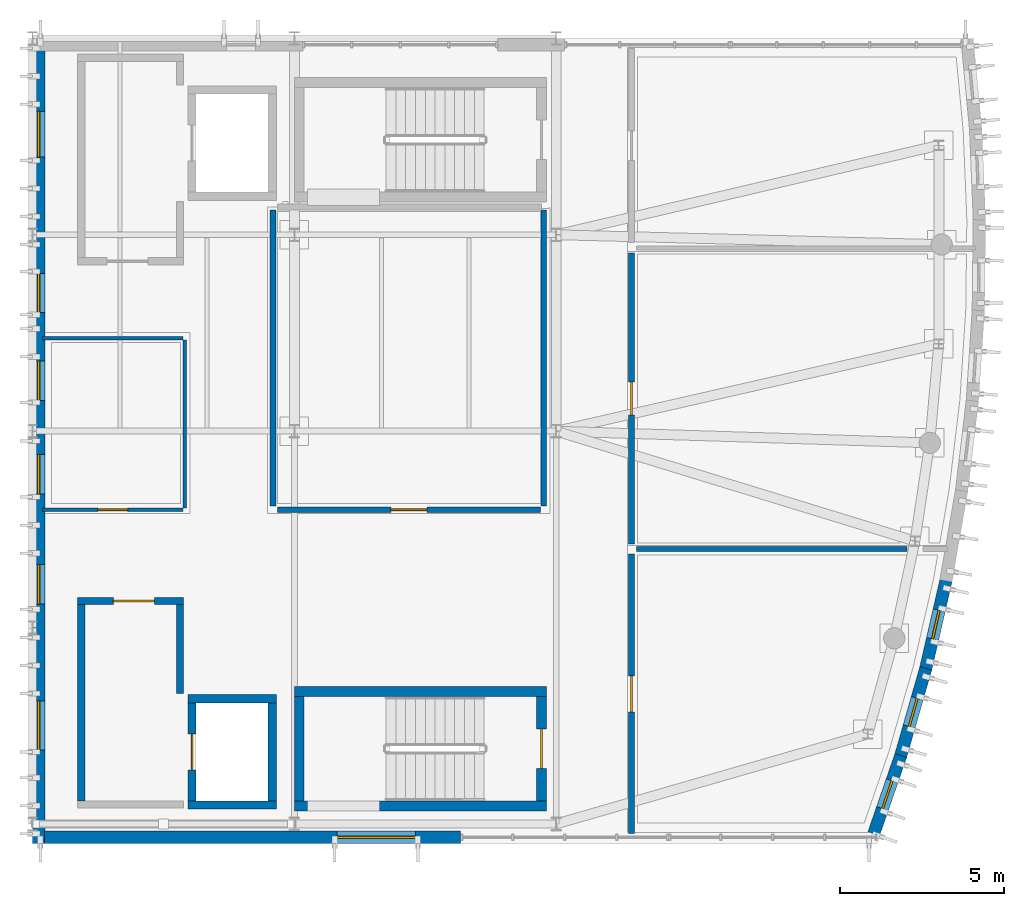
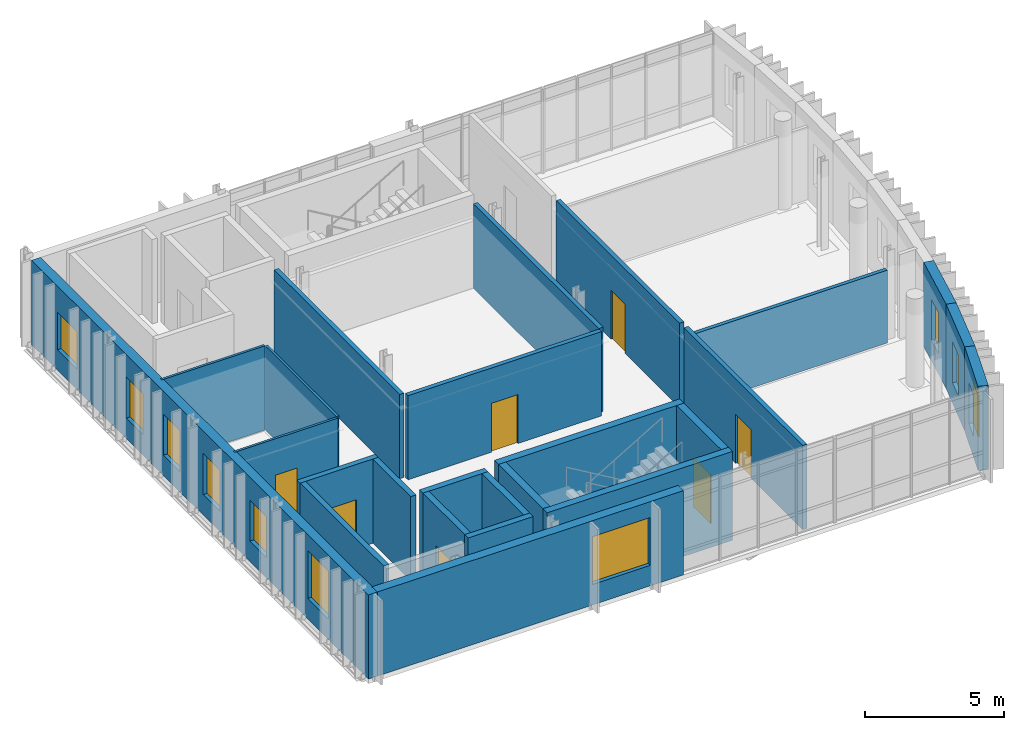
# One storey, part 6 of 10: 25 walls, 10 windows, 7 doors, 17 openings.
"""IFC4 building model written with IfcOpenShell, lengths in metres."""

import ifcopenshell
import ifcopenshell.guid

model = None  # the IFC model being written
_history = None  # IfcOwnerHistory: only IFC2X3 demands one
_inside = {}  # id of a spatial element -> (the spatial element, [elements in it])
_under = {}  # id of a project, library or spatial element -> (it, [spatial elements below it])
_declared = {}  # id of a project -> (the project, [libraries it declares])
_typed = {}  # id of a type object -> (the type object, [elements of that type])
_made_of = {}  # id of a material, layer set ... -> (it, [elements and type objects made of it])


def new_model(schema):
    """Start an empty IFC model of exactly this schema.

    Asked for "IFC4X3", IfcOpenShell would pick the latest addendum, in which some entities
    have other attributes; the version numbers below select the first issue.
    IFC2X3 requires an IfcOwnerHistory on every rooted entity: one is made here for all.
    """
    global model, _history
    if schema == "IFC4X3":
        model = ifcopenshell.file(schema_version=(4, 3, 0, 0))
    else:
        model = ifcopenshell.file(schema=schema)
    _inside.clear()
    _under.clear()
    _declared.clear()
    _typed.clear()
    _made_of.clear()
    _history = None
    if model.schema == "IFC2X3":
        org = make("IfcOrganization", Name="unknown")
        user = make(
            "IfcPersonAndOrganization",
            ThePerson=make("IfcPerson", FamilyName="unknown"),
            TheOrganization=org,
        )
        app = make(
            "IfcApplication",
            ApplicationDeveloper=org,
            Version="unknown",
            ApplicationFullName="unknown",
            ApplicationIdentifier="unknown",
        )
        _history = make(
            "IfcOwnerHistory",
            OwningUser=user,
            OwningApplication=app,
            ChangeAction="ADDED",
            CreationDate=0,
        )
    return model


def make(cls, **values):
    """One entity of the class cls with the attributes given. An attribute that is None is left unset."""
    return model.create_entity(
        cls, **{name: value for name, value in values.items() if value is not None}
    )


def rooted(cls, **values):
    """An entity with a GlobalId (a new one), such as an element, a storey or a relation."""
    return make(cls, GlobalId=ifcopenshell.guid.new(), OwnerHistory=_history, **values)


def si_unit(unit_type, name, prefix=None):
    """IfcSIUnit, for example si_unit("LENGTHUNIT", "METRE", prefix="MILLI")."""
    return make("IfcSIUnit", UnitType=unit_type, Prefix=prefix, Name=name)


def assignment(units):
    """IfcUnitAssignment: the units of a project."""
    return None if units is None else make("IfcUnitAssignment", Units=units)


def point(xyz):
    """IfcCartesianPoint."""
    return None if xyz is None else make("IfcCartesianPoint", Coordinates=xyz)


def direction(xyz):
    """IfcDirection."""
    return None if xyz is None else make("IfcDirection", DirectionRatios=xyz)


def frame(location, z_axis=None, x_axis=None):
    """IfcAxis2Placement3D, a coordinate frame: its origin and axes. An axis left out is left unset."""
    return make(
        "IfcAxis2Placement3D",
        Location=point(location),
        Axis=direction(z_axis),
        RefDirection=direction(x_axis),
    )


def frame_2d(location, x_axis=None):
    """IfcAxis2Placement2D, a coordinate frame in the plane: its origin and x axis."""
    return make(
        "IfcAxis2Placement2D", Location=point(location), RefDirection=direction(x_axis)
    )


def origin():
    """The frame at (0, 0, 0) with its axes left unset."""
    return frame((0.0, 0.0, 0.0))


def place(relative_to, where):
    """IfcLocalPlacement: puts the frame where relative to a parent placement (None: the world)."""
    return make(
        "IfcLocalPlacement", PlacementRelTo=relative_to, RelativePlacement=where
    )


def context(
    kind, dimensions, precision=None, world=None, true_north=None, identifier=None
):
    """IfcGeometricRepresentationContext, for example the 3D "Model" context."""
    return make(
        "IfcGeometricRepresentationContext",
        ContextIdentifier=identifier,
        ContextType=kind,
        CoordinateSpaceDimension=dimensions,
        Precision=precision,
        WorldCoordinateSystem=world,
        TrueNorth=true_north,
    )


def subcontext(parent, identifier, kind, view, scale=None):
    """IfcGeometricRepresentationSubContext, for example "Body" below "Model"."""
    return make(
        "IfcGeometricRepresentationSubContext",
        ContextIdentifier=identifier,
        ContextType=kind,
        ParentContext=parent,
        TargetScale=scale,
        TargetView=view,
    )


def project(units=None, contexts=None):
    """IfcProject with its units and contexts."""
    return rooted(
        "IfcProject",
        Name="project",
        RepresentationContexts=contexts,
        UnitsInContext=assignment(units),
    )


def spatial(cls, under=None, at=None, **own):
    """A site, building, storey or space (cls), placed at a placement, below another one or the project."""
    s = rooted(cls, ObjectPlacement=at, **own)
    if under is not None:
        _under.setdefault(under.id(), (under, []))[1].append(s)
    return s


def profile(cls, at=None, kind="AREA", **sizes):
    """A parametric profile (cls). Its sizes go by their IFC names, for example OverallWidth=200.0."""
    return make(cls, ProfileType=kind, Position=at, **sizes)


def rectangle(**sizes):
    """IfcRectangleProfileDef."""
    return profile("IfcRectangleProfileDef", **sizes)


def extrude(swept, where, along, depth):
    """IfcExtrudedAreaSolid: the profile swept, set in the frame where, extruded along a direction by depth."""
    return make(
        "IfcExtrudedAreaSolid",
        SweptArea=swept,
        Position=where,
        ExtrudedDirection=direction(along),
        Depth=depth,
    )


def shape(context_of_items, identifier, shape_type, items):
    """IfcShapeRepresentation: the items that make up one representation, for example the "Body"."""
    return make(
        "IfcShapeRepresentation",
        ContextOfItems=context_of_items,
        RepresentationIdentifier=identifier,
        RepresentationType=shape_type,
        Items=items,
    )


def material(Name=None, Category=None):
    """IfcMaterial."""
    return make("IfcMaterial", Name=Name, Category=Category)


def layer(
    of_material, thickness, ventilated=None, Name=None, Category=None, Priority=None
):
    """IfcMaterialLayer: one layer of a wall or slab, of a material (None: an air gap)."""
    return make(
        "IfcMaterialLayer",
        Material=of_material,
        LayerThickness=thickness,
        IsVentilated=ventilated,
        Name=Name,
        Category=Category,
        Priority=Priority,
    )


def layer_set(layers, Name=None):
    """IfcMaterialLayerSet."""
    return make("IfcMaterialLayerSet", MaterialLayers=layers, LayerSetName=Name)


def made_of(thing, what):
    """Note that an element or type object is made of a material, layer set ...; save() writes the relation."""
    if what is not None:
        _made_of.setdefault(what.id(), (what, []))[1].append(thing)
    return thing


def type_object(cls, material=None, **own):
    """A type object (cls), such as IfcWallType, which elements share."""
    return made_of(rooted(cls, **own), material)


def element(
    cls,
    number,
    at=None,
    inside=None,
    cuts=None,
    type_object=None,
    material=None,
    context=None,
    identifier="Body",
    shape_type=None,
    held_by="IfcProductDefinitionShape",
    body=None,
    shapes=None,
    **own,
):
    """One element of the class cls, such as IfcWall. Its Tag is "e" and its number.

    at: its placement. inside: the storey or other place that contains it. cuts: it is an
    opening in that element (IfcRelVoidsElement). A single representation is given by context,
    identifier, shape_type and body (its items); several are given by shapes. held_by: the class
    of the entity that holds the representations. save() writes the other relations.
    """
    e = rooted(cls, Tag="e%d" % number, ObjectPlacement=at, **own)
    if body is not None:
        shapes = [shape(context, identifier, shape_type, body)]
    if shapes is not None:
        e.Representation = make(held_by, Representations=shapes)
    if inside is not None:
        _inside.setdefault(inside.id(), (inside, []))[1].append(e)
    if cuts is not None:
        rooted(
            "IfcRelVoidsElement", RelatingBuildingElement=cuts, RelatedOpeningElement=e
        )
    if type_object is not None:
        _typed.setdefault(type_object.id(), (type_object, []))[1].append(e)
    return made_of(e, material)


def fill(opening, filler):
    """IfcRelFillsElement: the door or window that sits in an opening."""
    return rooted(
        "IfcRelFillsElement",
        RelatingOpeningElement=opening,
        RelatedBuildingElement=filler,
    )


def aggregate(whole, parts):
    """IfcRelAggregates: a whole, such as a stair, and the parts it consists of."""
    return rooted("IfcRelAggregates", RelatingObject=whole, RelatedObjects=parts)


def save(model, path):
    """Write the relations noted so far, then the file.

    IfcRelAggregates (storeys below a building ...), IfcRelContainedInSpatialStructure (elements
    in a storey), IfcRelDefinesByType, IfcRelAssociatesMaterial and IfcRelDeclares: one each for
    every whole, place, type object, material and project.
    """
    for whole, parts in _under.values():
        aggregate(whole, parts)
    for where, things in _inside.values():
        rooted(
            "IfcRelContainedInSpatialStructure",
            RelatedElements=things,
            RelatingStructure=where,
        )
    for kind, things in _typed.values():
        rooted("IfcRelDefinesByType", RelatedObjects=things, RelatingType=kind)
    for what, things in _made_of.values():
        rooted("IfcRelAssociatesMaterial", RelatedObjects=things, RelatingMaterial=what)
    for by, libraries in _declared.values():
        rooted("IfcRelDeclares", RelatingContext=by, RelatedDefinitions=libraries)
    model.write(path)


model = new_model("IFC4")

# Units and contexts
model_context = context("Model", 3, precision=1e-05, world=origin(), true_north=direction((0.0, 1.0)))
body_context = subcontext(model_context, "Body", "Model", "MODEL_VIEW")
ifc_project = project(units=[si_unit("LENGTHUNIT", "METRE"), si_unit("AREAUNIT", "SQUARE_METRE"), si_unit("VOLUMEUNIT", "CUBIC_METRE"), si_unit("PLANEANGLEUNIT", "RADIAN"), si_unit("MASSUNIT", "GRAM", prefix="KILO")], contexts=[model_context])

# Site, building, storey
site_placement = place(None, origin())
site = spatial("IfcSite", under=ifc_project, at=site_placement, CompositionType="ELEMENT")
building_placement = place(site_placement, origin())
building = spatial("IfcBuilding", under=site, at=building_placement, Name="Cymarion Research Institute", CompositionType="ELEMENT")
storey_placement = place(building_placement, frame((0.0, 0.0, 38.39990234375)))
storey = spatial("IfcBuildingStorey", under=building, at=storey_placement, Name="L09", CompositionType="ELEMENT", Elevation=38.39990234375)

# Wall, opening, window
ifc_material_1 = material(Name="Precast concrete C40/50", Category="concrete")
ifc_layer_1 = layer(ifc_material_1, 0.3798828125)
ifc_layer_set_1 = layer_set([ifc_layer_1], Name="Precast concrete C40/50")
wall_type_1 = type_object("IfcWallType", Name="EXTERIOR WALL EW-PC380 380MM", PredefinedType="SOLIDWALL", material=ifc_layer_set_1)
wall_1_placement = place(storey_placement, frame((138.9619140625, 5.090087890625, 0.0), z_axis=(0.0, 0.0, 1.0), x_axis=(1.0, 0.0, 0.0)))
wall_1 = element("IfcWall", 1, at=wall_1_placement, inside=storey, type_object=wall_type_1, Name="L09 V1 facade pier wall EW-PC380 #310", PredefinedType="SOLIDWALL", context=body_context, shape_type="SweptSolid", body=[
    extrude(rectangle(XDim=12.718994140625, YDim=0.3798828125, at=frame_2d((6.359375, 0.0))), origin(), (0.0, 0.0, 1.0), 3.7001953125),
])
opening_1_placement = place(wall_1_placement, frame((8.93896484375, 0.0, 0.89990234375)))
opening_1 = element("IfcOpeningElement", 2, at=opening_1_placement, cuts=wall_1, Name="Opening W12", PredefinedType="OPENING", context=body_context, shape_type="SweptSolid", body=[
    extrude(rectangle(XDim=2.39990234375, YDim=2.10009765625, at=frame_2d((1.199951171875, 1.050048828125))), frame((0.0, 0.199951171875, 0.0), z_axis=(0.0, -1.0, 0.0), x_axis=(1.0, 0.0, 0.0)), (0.0, 0.0, 1.0), 0.39990234375),
])
ifc_material_2 = material(Name="Thermally broken aluminium window with Low-E glazing", Category="aluminium")
window_type_1 = type_object("IfcWindowType", Name="THERMALLY BROKEN ALUMINIUM WINDOW W12 2400X2100", PartitioningType="TRIPLE_PANEL_VERTICAL", PredefinedType="WINDOW", material=ifc_material_2)
window_1_placement = place(opening_1_placement, origin())
window_1 = element("IfcWindow", 3, at=window_1_placement, inside=storey, type_object=window_type_1, Name="L09 V1 facade window W12 #546", OverallHeight=2.10009765625, OverallWidth=2.39990234375, PartitioningType="SINGLE_PANEL", PredefinedType="WINDOW", context=body_context, shape_type="SweptSolid", body=[
    extrude(rectangle(XDim=2.39990234375, YDim=2.10009765625, at=frame_2d((1.199951171875, 1.050048828125))), frame((0.0, 0.030029296875, 0.0), z_axis=(0.0, -1.0, 0.0), x_axis=(1.0, 0.0, 0.0)), (0.0, 0.0, 1.0), 0.06005859375),
])
fill(opening_1, window_1)

wall_2_placement = place(storey_placement, frame((164.302978515625, 5.200927734375, 0.0), z_axis=(0.0, 0.0, 1.0), x_axis=(0.3268184741, 0.945087130897, 0.0)))
wall_2 = element("IfcWall", 4, at=wall_2_placement, inside=storey, type_object=wall_type_1, Name="L09 V1 exterior wall EW-PC380 #311", PredefinedType="SOLIDWALL", context=body_context, shape_type="SweptSolid", body=[
    extrude(rectangle(XDim=2.5263671875, YDim=0.3798828125, at=frame_2d((1.26318359375, 0.0))), origin(), (0.0, 0.0, 1.0), 3.7001953125),
])
opening_2_placement = place(wall_2_placement, frame((0.81298828125, 0.0, 0.89990234375)))
opening_2 = element("IfcOpeningElement", 5, at=opening_2_placement, cuts=wall_2, Name="Opening W24", PredefinedType="OPENING", context=body_context, shape_type="SweptSolid", body=[
    extrude(rectangle(XDim=0.89990234375, YDim=1.800048828125, at=frame_2d((0.449951171875, 0.89990234375))), frame((0.0, 0.199951171875, 0.0), z_axis=(0.0, -1.0, 0.0), x_axis=(1.0, 0.0, 0.0)), (0.0, 0.0, 1.0), 0.39990234375),
])
window_type_2 = type_object("IfcWindowType", Name="THERMALLY BROKEN ALUMINIUM WINDOW W24 900X1800", PartitioningType="SINGLE_PANEL", PredefinedType="WINDOW", material=ifc_material_2)
window_2_placement = place(opening_2_placement, origin())
window_2 = element("IfcWindow", 6, at=window_2_placement, inside=storey, type_object=window_type_2, Name="L09 V1 facade window W24 #547", OverallHeight=1.800048828125, OverallWidth=0.89990234375, PartitioningType="SINGLE_PANEL", PredefinedType="WINDOW", context=body_context, shape_type="SweptSolid", body=[
    extrude(rectangle(XDim=0.89990234375, YDim=1.800048828125, at=frame_2d((0.449951171875, 0.89990234375))), frame((0.0, 0.030029296875, 0.0), z_axis=(0.0, -1.0, 0.0), x_axis=(1.0, 0.0, 0.0)), (0.0, 0.0, 1.0), 0.06005859375),
])
fill(opening_2, window_2)

wall_3_placement = place(storey_placement, frame((165.122314453125, 7.5673828125, 0.0), z_axis=(0.0, 0.0, 1.0), x_axis=(0.275772175055, 0.961223026912, 0.0)))
wall_3 = element("IfcWall", 7, at=wall_3_placement, inside=storey, type_object=wall_type_1, Name="L09 V1 exterior wall EW-PC380 #312", PredefinedType="SOLIDWALL", context=body_context, shape_type="SweptSolid", body=[
    extrude(rectangle(XDim=2.791259765625, YDim=0.3798828125, at=frame_2d((1.3955078125, 0.0))), origin(), (0.0, 0.0, 1.0), 3.7001953125),
])
opening_3_placement = place(wall_3_placement, frame((0.946044921875, 0.0, 0.89990234375)))
opening_3 = element("IfcOpeningElement", 8, at=opening_3_placement, cuts=wall_3, Name="Opening W24", PredefinedType="OPENING", context=body_context, shape_type="SweptSolid", body=[
    extrude(rectangle(XDim=0.89990234375, YDim=1.800048828125, at=frame_2d((0.449951171875, 0.89990234375))), frame((0.0, 0.199951171875, 0.0), z_axis=(0.0, -1.0, 0.0), x_axis=(1.0, 0.0, 0.0)), (0.0, 0.0, 1.0), 0.39990234375),
])
window_3_placement = place(opening_3_placement, origin())
window_3 = element("IfcWindow", 9, at=window_3_placement, inside=storey, type_object=window_type_2, Name="L09 V1 facade window W24 #548", OverallHeight=1.800048828125, OverallWidth=0.89990234375, PartitioningType="SINGLE_PANEL", PredefinedType="WINDOW", context=body_context, shape_type="SweptSolid", body=[
    extrude(rectangle(XDim=0.89990234375, YDim=1.800048828125, at=frame_2d((0.449951171875, 0.89990234375))), frame((0.0, 0.030029296875, 0.0), z_axis=(0.0, -1.0, 0.0), x_axis=(1.0, 0.0, 0.0)), (0.0, 0.0, 1.0), 0.06005859375),
])
fill(opening_3, window_3)

wall_4_placement = place(storey_placement, frame((165.886962890625, 10.22900390625, 0.0), z_axis=(0.0, 0.0, 1.0), x_axis=(0.224009786197, 0.974586894888, 0.0)))
wall_4 = element("IfcWall", 10, at=wall_4_placement, inside=storey, type_object=wall_type_1, Name="L09 V1 exterior wall EW-PC380 #313", PredefinedType="SOLIDWALL", context=body_context, shape_type="SweptSolid", body=[
    extrude(rectangle(XDim=2.791259765625, YDim=0.3798828125, at=frame_2d((1.3955078125, 0.0))), origin(), (0.0, 0.0, 1.0), 3.7001953125),
])
opening_4_placement = place(wall_4_placement, frame((0.946044921875, 0.0, 0.89990234375)))
opening_4 = element("IfcOpeningElement", 11, at=opening_4_placement, cuts=wall_4, Name="Opening W24", PredefinedType="OPENING", context=body_context, shape_type="SweptSolid", body=[
    extrude(rectangle(XDim=0.89990234375, YDim=1.800048828125, at=frame_2d((0.449951171875, 0.89990234375))), frame((0.0, 0.199951171875, 0.0), z_axis=(0.0, -1.0, 0.0), x_axis=(1.0, 0.0, 0.0)), (0.0, 0.0, 1.0), 0.39990234375),
])
window_4_placement = place(opening_4_placement, origin())
window_4 = element("IfcWindow", 12, at=window_4_placement, inside=storey, type_object=window_type_2, Name="L09 V1 facade window W24 #549", OverallHeight=1.800048828125, OverallWidth=0.89990234375, PartitioningType="SINGLE_PANEL", PredefinedType="WINDOW", context=body_context, shape_type="SweptSolid", body=[
    extrude(rectangle(XDim=0.89990234375, YDim=1.800048828125, at=frame_2d((0.449951171875, 0.89990234375))), frame((0.0, 0.030029296875, 0.0), z_axis=(0.0, -1.0, 0.0), x_axis=(1.0, 0.0, 0.0)), (0.0, 0.0, 1.0), 0.06005859375),
])
fill(opening_4, window_4)

# Wall, openings, windows
wall_5_placement = place(storey_placement, frame((138.7900390625, 29.137939453125, 0.0), z_axis=(0.0, 0.0, 1.0), x_axis=(0.0, -1.0, 0.0)))
wall_5 = element("IfcWall", 13, at=wall_5_placement, inside=storey, type_object=wall_type_1, Name="L09 V1 exterior wall EW-PC380 #322", PredefinedType="SOLIDWALL", context=body_context, shape_type="SweptSolid", body=[
    extrude(rectangle(XDim=24.238037109375, YDim=0.3798828125, at=frame_2d((12.119140625, 0.0))), origin(), (0.0, 0.0, 1.0), 3.7001953125),
])
opening_5_placement = place(wall_5_placement, frame((1.864013671875, 0.0, 0.89990234375)))
opening_5 = element("IfcOpeningElement", 14, at=opening_5_placement, cuts=wall_5, Name="Opening W33", PredefinedType="OPENING", context=body_context, shape_type="SweptSolid", body=[
    extrude(rectangle(XDim=1.39990234375, YDim=1.64990234375, at=frame_2d((0.699951171875, 0.824951171875))), frame((0.0, 0.199951171875, 0.0), z_axis=(0.0, -1.0, 0.0), x_axis=(1.0, 0.0, 0.0)), (0.0, 0.0, 1.0), 0.39990234375),
])
opening_6_placement = place(wall_5_placement, frame((6.818115234375, 0.0, 0.89990234375)))
opening_6 = element("IfcOpeningElement", 15, at=opening_6_placement, cuts=wall_5, Name="Opening W01", PredefinedType="OPENING", context=body_context, shape_type="SweptSolid", body=[
    extrude(rectangle(XDim=1.199951171875, YDim=1.800048828125, at=frame_2d((0.60009765625, 0.89990234375))), frame((0.0, 0.199951171875, 0.0), z_axis=(0.0, -1.0, 0.0), x_axis=(1.0, 0.0, 0.0)), (0.0, 0.0, 1.0), 0.39990234375),
])
opening_7_placement = place(wall_5_placement, frame((9.498046875, 0.0, 0.89990234375)))
opening_7 = element("IfcOpeningElement", 16, at=opening_7_placement, cuts=wall_5, Name="Opening W01", PredefinedType="OPENING", context=body_context, shape_type="SweptSolid", body=[
    extrude(rectangle(XDim=1.199951171875, YDim=1.800048828125, at=frame_2d((0.60009765625, 0.89990234375))), frame((0.0, 0.199951171875, 0.0), z_axis=(0.0, -1.0, 0.0), x_axis=(1.0, 0.0, 0.0)), (0.0, 0.0, 1.0), 0.39990234375),
])
opening_8_placement = place(wall_5_placement, frame((12.35791015625, 0.0, 0.89990234375)))
opening_8 = element("IfcOpeningElement", 17, at=opening_8_placement, cuts=wall_5, Name="Opening W01", PredefinedType="OPENING", context=body_context, shape_type="SweptSolid", body=[
    extrude(rectangle(XDim=1.199951171875, YDim=1.800048828125, at=frame_2d((0.60009765625, 0.89990234375))), frame((0.0, 0.199951171875, 0.0), z_axis=(0.0, -1.0, 0.0), x_axis=(1.0, 0.0, 0.0)), (0.0, 0.0, 1.0), 0.39990234375),
])
opening_9_placement = place(wall_5_placement, frame((15.718017578125, 0.0, 0.89990234375)))
opening_9 = element("IfcOpeningElement", 18, at=opening_9_placement, cuts=wall_5, Name="Opening W01", PredefinedType="OPENING", context=body_context, shape_type="SweptSolid", body=[
    extrude(rectangle(XDim=1.199951171875, YDim=1.800048828125, at=frame_2d((0.60009765625, 0.89990234375))), frame((0.0, 0.199951171875, 0.0), z_axis=(0.0, -1.0, 0.0), x_axis=(1.0, 0.0, 0.0)), (0.0, 0.0, 1.0), 0.39990234375),
])
opening_10_placement = place(wall_5_placement, frame((19.8779296875, 0.0, 0.89990234375)))
opening_10 = element("IfcOpeningElement", 19, at=opening_10_placement, cuts=wall_5, Name="Opening W09", PredefinedType="OPENING", context=body_context, shape_type="SweptSolid", body=[
    extrude(rectangle(XDim=1.5, YDim=2.10009765625, at=frame_2d((0.75, 1.050048828125))), frame((0.0, 0.199951171875, 0.0), z_axis=(0.0, -1.0, 0.0), x_axis=(1.0, 0.0, 0.0)), (0.0, 0.0, 1.0), 0.39990234375),
])
window_type_3 = type_object("IfcWindowType", Name="THERMALLY BROKEN ALUMINIUM WINDOW W01 1200X1800", PartitioningType="SINGLE_PANEL", PredefinedType="WINDOW", material=ifc_material_2)
window_5_placement = place(opening_6_placement, origin())
window_5 = element("IfcWindow", 20, at=window_5_placement, inside=storey, type_object=window_type_3, Name="L09 V1 facade window W01 #557", OverallHeight=1.800048828125, OverallWidth=1.199951171875, PartitioningType="SINGLE_PANEL", PredefinedType="WINDOW", context=body_context, shape_type="SweptSolid", body=[
    extrude(rectangle(XDim=1.199951171875, YDim=1.800048828125, at=frame_2d((0.60009765625, 0.89990234375))), frame((0.0, 0.030029296875, 0.0), z_axis=(0.0, -1.0, 0.0), x_axis=(1.0, 0.0, 0.0)), (0.0, 0.0, 1.0), 0.06005859375),
])
fill(opening_6, window_5)
window_6_placement = place(opening_7_placement, origin())
window_6 = element("IfcWindow", 21, at=window_6_placement, inside=storey, type_object=window_type_3, Name="L09 V1 facade window W01 #558", OverallHeight=1.800048828125, OverallWidth=1.199951171875, PartitioningType="SINGLE_PANEL", PredefinedType="WINDOW", context=body_context, shape_type="SweptSolid", body=[
    extrude(rectangle(XDim=1.199951171875, YDim=1.800048828125, at=frame_2d((0.60009765625, 0.89990234375))), frame((0.0, 0.030029296875, 0.0), z_axis=(0.0, -1.0, 0.0), x_axis=(1.0, 0.0, 0.0)), (0.0, 0.0, 1.0), 0.06005859375),
])
fill(opening_7, window_6)
window_7_placement = place(opening_8_placement, origin())
window_7 = element("IfcWindow", 22, at=window_7_placement, inside=storey, type_object=window_type_3, Name="L09 V1 facade window W01 #559", OverallHeight=1.800048828125, OverallWidth=1.199951171875, PartitioningType="SINGLE_PANEL", PredefinedType="WINDOW", context=body_context, shape_type="SweptSolid", body=[
    extrude(rectangle(XDim=1.199951171875, YDim=1.800048828125, at=frame_2d((0.60009765625, 0.89990234375))), frame((0.0, 0.030029296875, 0.0), z_axis=(0.0, -1.0, 0.0), x_axis=(1.0, 0.0, 0.0)), (0.0, 0.0, 1.0), 0.06005859375),
])
fill(opening_8, window_7)
window_8_placement = place(opening_9_placement, origin())
window_8 = element("IfcWindow", 23, at=window_8_placement, inside=storey, type_object=window_type_3, Name="L09 V1 facade window W01 #560", OverallHeight=1.800048828125, OverallWidth=1.199951171875, PartitioningType="SINGLE_PANEL", PredefinedType="WINDOW", context=body_context, shape_type="SweptSolid", body=[
    extrude(rectangle(XDim=1.199951171875, YDim=1.800048828125, at=frame_2d((0.60009765625, 0.89990234375))), frame((0.0, 0.030029296875, 0.0), z_axis=(0.0, -1.0, 0.0), x_axis=(1.0, 0.0, 0.0)), (0.0, 0.0, 1.0), 0.06005859375),
])
fill(opening_9, window_8)
window_type_4 = type_object("IfcWindowType", Name="THERMALLY BROKEN ALUMINIUM WINDOW W09 1500X2100", PartitioningType="DOUBLE_PANEL_VERTICAL", PredefinedType="WINDOW", material=ifc_material_2)
window_9_placement = place(opening_10_placement, origin())
window_9 = element("IfcWindow", 24, at=window_9_placement, inside=storey, type_object=window_type_4, Name="L09 V1 facade window W09 #561", OverallHeight=2.10009765625, OverallWidth=1.5, PartitioningType="SINGLE_PANEL", PredefinedType="WINDOW", context=body_context, shape_type="SweptSolid", body=[
    extrude(rectangle(XDim=1.5, YDim=2.10009765625, at=frame_2d((0.75, 1.050048828125))), frame((0.0, 0.030029296875, 0.0), z_axis=(0.0, -1.0, 0.0), x_axis=(1.0, 0.0, 0.0)), (0.0, 0.0, 1.0), 0.06005859375),
])
fill(opening_10, window_9)
window_type_5 = type_object("IfcWindowType", Name="THERMALLY BROKEN ALUMINIUM WINDOW W33 1400X1650", PartitioningType="SINGLE_PANEL", PredefinedType="WINDOW", material=ifc_material_2)
window_10_placement = place(opening_5_placement, origin())
window_10 = element("IfcWindow", 25, at=window_10_placement, inside=storey, type_object=window_type_5, Name="L09 V1 facade window W33 #556", OverallHeight=1.64990234375, OverallWidth=1.39990234375, PartitioningType="SINGLE_PANEL", PredefinedType="WINDOW", context=body_context, shape_type="SweptSolid", body=[
    extrude(rectangle(XDim=1.39990234375, YDim=1.64990234375, at=frame_2d((0.699951171875, 0.824951171875))), frame((0.0, 0.030029296875, 0.0), z_axis=(0.0, -1.0, 0.0), x_axis=(1.0, 0.0, 0.0)), (0.0, 0.0, 1.0), 0.06005859375),
])
fill(opening_5, window_10)

# Walls
ifc_material_3 = material(Name="Gypsum acoustic double-stud partition", Category="gypsum")
ifc_layer_2 = layer(ifc_material_3, 0.14990234375)
ifc_layer_set_2 = layer_set([ifc_layer_2], Name="Gypsum acoustic double-stud partition")
wall_type_2 = type_object("IfcWallType", Name="INTERIOR PARTITION IW-AC150 150MM", PredefinedType="PARTITIONING", material=ifc_layer_set_2)
wall_6_placement = place(storey_placement, frame((157.050048828125, 13.89990234375, 0.0), z_axis=(0.0, 0.0, 1.0), x_axis=(1.0, 0.0, 0.0)))
element("IfcWall", 26, at=wall_6_placement, inside=storey, type_object=wall_type_2, Name="L09 V1 interior partition IW-AC150 #416", PredefinedType="PARTITIONING", context=body_context, shape_type="SweptSolid", body=[
    extrude(rectangle(XDim=8.259765625, YDim=0.14990234375, at=frame_2d((4.1298828125, 0.0))), origin(), (0.0, 0.0, 1.0), 3.2001953125),
])
ifc_material_4 = material(Name="Framed acoustic glass laboratory screen", Category="glass")
ifc_layer_3 = layer(ifc_material_4, 0.10009765625)
ifc_layer_set_3 = layer_set([ifc_layer_3], Name="Framed acoustic glass laboratory screen")
wall_type_3 = type_object("IfcWallType", Name="INTERIOR PARTITION IW-GL100 100MM", PredefinedType="PARTITIONING", material=ifc_layer_set_3)
wall_7_placement = place(storey_placement, frame((138.905029296875, 20.340087890625, 0.0), z_axis=(0.0, 0.0, 1.0), x_axis=(1.0, 0.0, 0.0)))
element("IfcWall", 27, at=wall_7_placement, inside=storey, type_object=wall_type_3, Name="L09 V1 interior partition IW-GL100 #409", PredefinedType="PARTITIONING", context=body_context, shape_type="SweptSolid", body=[
    extrude(rectangle(XDim=4.294921875, YDim=0.10009765625, at=frame_2d((2.1474609375, 0.0))), origin(), (0.0, 0.0, 1.0), 3.7001953125),
])
wall_8_placement = place(storey_placement, frame((143.25, 15.159912109375, 0.0), z_axis=(0.0, 0.0, 1.0), x_axis=(0.0, 1.0, 0.0)))
element("IfcWall", 28, at=wall_8_placement, inside=storey, type_object=wall_type_3, Name="L09 V1 interior partition IW-GL100 #410", PredefinedType="PARTITIONING", context=body_context, shape_type="SweptSolid", body=[
    extrude(rectangle(XDim=5.1201171875, YDim=0.10009765625, at=frame_2d((2.56005859375, 0.0))), origin(), (0.0, 0.0, 1.0), 3.7001953125),
])

# Wall, opening, door
wall_9_placement = place(storey_placement, frame((138.905029296875, 15.10009765625, 0.0), z_axis=(0.0, 0.0, 1.0), x_axis=(1.0, 0.0, 0.0)))
wall_9 = element("IfcWall", 29, at=wall_9_placement, inside=storey, type_object=wall_type_3, Name="L09 V1 interior partition IW-GL100 #411", PredefinedType="PARTITIONING", context=body_context, shape_type="SweptSolid", body=[
    extrude(rectangle(XDim=4.294921875, YDim=0.10009765625, at=frame_2d((2.1474609375, 0.0))), origin(), (0.0, 0.0, 1.0), 3.7001953125),
])
opening_11_placement = place(wall_9_placement, frame((1.697998046875, 0.0, 0.0)))
opening_11 = element("IfcOpeningElement", 30, at=opening_11_placement, cuts=wall_9, Name="Opening D-L09-238", PredefinedType="OPENING", context=body_context, shape_type="SweptSolid", body=[
    extrude(rectangle(XDim=0.89990234375, YDim=2.10009765625, at=frame_2d((0.449951171875, 1.050048828125))), frame((0.0, 0.06005859375, 0.0), z_axis=(0.0, -1.0, 0.0), x_axis=(1.0, 0.0, 0.0)), (0.0, 0.0, 1.0), 0.1201171875),
])
ifc_material_5 = material(Name="Flush acoustic timber/steel door assembly", Category="steel")
door_type_1 = type_object("IfcDoorType", Name="RESEARCH WRITE-UP OFFICE DOOR DT-OF090 900X2100", OperationType="NOTDEFINED", PredefinedType="DOOR", material=ifc_material_5)
door_1_placement = place(opening_11_placement, origin())
door_1 = element("IfcDoor", 31, at=door_1_placement, inside=storey, type_object=door_type_1, Name="L09 West Write-up door D-L09-238", OperationType="SINGLE_SWING_LEFT", OverallHeight=2.10009765625, OverallWidth=0.89990234375, PredefinedType="DOOR", context=body_context, shape_type="SweptSolid", body=[
    extrude(rectangle(XDim=0.89990234375, YDim=2.10009765625, at=frame_2d((0.449951171875, 1.050048828125))), frame((0.0, 0.02490234375, 0.0), z_axis=(0.0, -1.0, 0.0), x_axis=(1.0, 0.0, 0.0)), (0.0, 0.0, 1.0), 0.050048828125),
])
fill(opening_11, door_1)

# Walls
ifc_material_6 = material(Name="Moisture-resistant laboratory partition", Category="gypsum")
ifc_layer_4 = layer(ifc_material_6, 0.179931640625)
ifc_layer_set_4 = layer_set([ifc_layer_4], Name="Moisture-resistant laboratory partition")
wall_type_4 = type_object("IfcWallType", Name="INTERIOR PARTITION IW-LB180 180MM", PredefinedType="PARTITIONING", material=ifc_layer_set_4)
for number, where, z_axis, x_axis, name in (
    (32, (145.949951171875, 15.219970703125, 0.0), (0.0, 0.0, 1.0), (0.0, 1.0, 0.0), "L09 V1 interior partition IW-LB180 #412"),
    (33, (154.219970703125, 15.219970703125, 0.0), (0.0, 0.0, 1.0), (0.0, 1.0, 0.0), "L09 V1 interior partition IW-LB180 #414"),
):
    element("IfcWall", number, at=place(storey_placement, frame(where, z_axis=z_axis, x_axis=x_axis)), inside=storey, type_object=wall_type_4, Name=name, PredefinedType="PARTITIONING", context=body_context, shape_type="SweptSolid", body=[
        extrude(rectangle(XDim=9.030029296875, YDim=0.179931640625, at=frame_2d((4.51513671875, 0.0))), origin(), (0.0, 0.0, 1.0), 3.7001953125),
    ])

# Wall, opening, door
wall_10_placement = place(storey_placement, frame((146.080078125, 15.10009765625, 0.0), z_axis=(0.0, 0.0, 1.0), x_axis=(1.0, 0.0, 0.0)))
wall_10 = element("IfcWall", 34, at=wall_10_placement, inside=storey, type_object=wall_type_4, Name="L09 V1 interior partition IW-LB180 #415", PredefinedType="PARTITIONING", context=body_context, shape_type="SweptSolid", body=[
    extrude(rectangle(XDim=8.0400390625, YDim=0.179931640625, at=frame_2d((4.02001953125, 0.0))), origin(), (0.0, 0.0, 1.0), 3.7001953125),
])
opening_12_placement = place(wall_10_placement, frame((3.469970703125, 0.0, 0.0)))
opening_12 = element("IfcOpeningElement", 35, at=opening_12_placement, cuts=wall_10, Name="Opening D-L09-239", PredefinedType="OPENING", context=body_context, shape_type="SweptSolid", body=[
    extrude(rectangle(XDim=1.10009765625, YDim=2.14990234375, at=frame_2d((0.550048828125, 1.074951171875))), frame((0.0, 0.099853515625, 0.0), z_axis=(0.0, -1.0, 0.0), x_axis=(1.0, 0.0, 0.0)), (0.0, 0.0, 1.0), 0.199951171875),
])
door_type_2 = type_object("IfcDoorType", Name="LABORATORY WIDE SINGLE DOOR DT-LB110 1100X2150", OperationType="NOTDEFINED", PredefinedType="DOOR", material=ifc_material_5)
door_2_placement = place(opening_12_placement, origin())
door_2 = element("IfcDoor", 36, at=door_2_placement, inside=storey, type_object=door_type_2, Name="L09 Central Assay Lab door D-L09-239", OperationType="SINGLE_SWING_RIGHT", OverallHeight=2.14990234375, OverallWidth=1.10009765625, PredefinedType="DOOR", context=body_context, shape_type="SweptSolid", body=[
    extrude(rectangle(XDim=1.10009765625, YDim=2.14990234375, at=frame_2d((0.550048828125, 1.074951171875))), frame((0.0, 0.02490234375, 0.0), z_axis=(0.0, -1.0, 0.0), x_axis=(1.0, 0.0, 0.0)), (0.0, 0.0, 1.0), 0.050048828125),
])
fill(opening_12, door_2)

wall_11_placement = place(storey_placement, frame((156.89990234375, 5.205078125, 0.0), z_axis=(0.0, 0.0, 1.0), x_axis=(0.0, 1.0, 0.0)))
wall_11 = element("IfcWall", 37, at=wall_11_placement, inside=storey, type_object=wall_type_4, Name="L09 V1 interior partition IW-LB180 #420", PredefinedType="PARTITIONING", context=body_context, shape_type="SweptSolid", body=[
    extrude(rectangle(XDim=8.534912109375, YDim=0.179931640625, at=frame_2d((4.267578125, 0.0))), origin(), (0.0, 0.0, 1.0), 3.7001953125),
])
opening_13_placement = place(wall_11_placement, frame((3.718017578125, 0.0, 0.0)))
opening_13 = element("IfcOpeningElement", 38, at=opening_13_placement, cuts=wall_11, Name="Opening D-L09-240", PredefinedType="OPENING", context=body_context, shape_type="SweptSolid", body=[
    extrude(rectangle(XDim=1.10009765625, YDim=2.14990234375, at=frame_2d((0.550048828125, 1.074951171875))), frame((0.0, 0.099853515625, 0.0), z_axis=(0.0, -1.0, 0.0), x_axis=(1.0, 0.0, 0.0)), (0.0, 0.0, 1.0), 0.199951171875),
])
door_3_placement = place(opening_13_placement, origin())
door_3 = element("IfcDoor", 39, at=door_3_placement, inside=storey, type_object=door_type_2, Name="L09 Tower Lab door D-L09-240", OperationType="SINGLE_SWING_LEFT", OverallHeight=2.14990234375, OverallWidth=1.10009765625, PredefinedType="DOOR", context=body_context, shape_type="SweptSolid", body=[
    extrude(rectangle(XDim=1.10009765625, YDim=2.14990234375, at=frame_2d((0.550048828125, 1.074951171875))), frame((0.0, 0.02490234375, 0.0), z_axis=(0.0, -1.0, 0.0), x_axis=(1.0, 0.0, 0.0)), (0.0, 0.0, 1.0), 0.050048828125),
])
fill(opening_13, door_3)

wall_12_placement = place(storey_placement, frame((156.89990234375, 14.06005859375, 0.0), z_axis=(0.0, 0.0, 1.0), x_axis=(0.0, 1.0, 0.0)))
wall_12 = element("IfcWall", 40, at=wall_12_placement, inside=storey, type_object=wall_type_4, Name="L09 V1 interior partition IW-LB180 #421", PredefinedType="PARTITIONING", context=body_context, shape_type="SweptSolid", body=[
    extrude(rectangle(XDim=8.8798828125, YDim=0.179931640625, at=frame_2d((4.43994140625, 0.0))), origin(), (0.0, 0.0, 1.0), 3.7001953125),
])
opening_14_placement = place(wall_12_placement, frame((3.93994140625, 0.0, 0.0)))
opening_14 = element("IfcOpeningElement", 41, at=opening_14_placement, cuts=wall_12, Name="Opening D-L09-241", PredefinedType="OPENING", context=body_context, shape_type="SweptSolid", body=[
    extrude(rectangle(XDim=1.0, YDim=2.14990234375, at=frame_2d((0.5, 1.074951171875))), frame((0.0, 0.099853515625, 0.0), z_axis=(0.0, -1.0, 0.0), x_axis=(1.0, 0.0, 0.0)), (0.0, 0.0, 1.0), 0.199951171875),
])
door_type_3 = type_object("IfcDoorType", Name="LABORATORY SINGLE LEAF DOOR DT-LB100 1000X2150", OperationType="NOTDEFINED", PredefinedType="DOOR", material=ifc_material_5)
door_4_placement = place(opening_14_placement, origin())
door_4 = element("IfcDoor", 42, at=door_4_placement, inside=storey, type_object=door_type_3, Name="L09 Instrument Room door D-L09-241", OperationType="SINGLE_SWING_RIGHT", OverallHeight=2.14990234375, OverallWidth=1.0, PredefinedType="DOOR", context=body_context, shape_type="SweptSolid", body=[
    extrude(rectangle(XDim=1.0, YDim=2.14990234375, at=frame_2d((0.5, 1.074951171875))), frame((0.0, 0.02490234375, 0.0), z_axis=(0.0, -1.0, 0.0), x_axis=(1.0, 0.0, 0.0)), (0.0, 0.0, 1.0), 0.050048828125),
])
fill(opening_14, door_4)

ifc_material_7 = material(Name="Concrete C40/50", Category="concrete")
ifc_layer_5 = layer(ifc_material_7, 0.219970703125)
ifc_layer_set_5 = layer_set([ifc_layer_5], Name="Concrete C40/50")
wall_type_5 = type_object("IfcWallType", Name="REINFORCED CONCRETE CORE WALL CW-FF220 220MM", PredefinedType="SOLIDWALL", material=ifc_layer_set_5)
wall_13_placement = place(storey_placement, frame((143.219970703125, 12.31005859375, 0.0), z_axis=(0.0, 0.0, 1.0), x_axis=(-1.0, 0.0, 0.0)))
wall_13 = element("IfcWall", 43, at=wall_13_placement, inside=storey, type_object=wall_type_5, Name="L09 FFL-LF1-L09 north core wall", PredefinedType="SOLIDWALL", context=body_context, shape_type="SweptSolid", body=[
    extrude(rectangle(XDim=3.239990234375, YDim=0.219970703125, at=frame_2d((1.6201171875, 0.0))), origin(), (0.0, 0.0, 1.0), 3.7001953125),
])
opening_15_placement = place(wall_13_placement, frame((0.89990234375, 0.0, 0.0)))
opening_15 = element("IfcOpeningElement", 44, at=opening_15_placement, cuts=wall_13, Name="Opening FD-FFL-LF1-L09", PredefinedType="OPENING", context=body_context, shape_type="SweptSolid", body=[
    extrude(rectangle(XDim=1.25, YDim=2.14990234375, at=frame_2d((0.625, 1.074951171875))), frame((0.0, 0.119873046875, 0.0), z_axis=(0.0, -1.0, 0.0), x_axis=(1.0, 0.0, 0.0)), (0.0, 0.0, 1.0), 0.239990234375),
])
ifc_material_8 = material(Name="Fire-rated insulated steel door assembly", Category="steel")
door_type_4 = type_object("IfcDoorType", Name="FIREFIGHTING LOBBY DOOR DT-FF125 1250X2150", OperationType="NOTDEFINED", PredefinedType="DOOR", material=ifc_material_8)
door_5_placement = place(opening_15_placement, frame((1.25, 0.0, 0.0), z_axis=(0.0, 0.0, 1.0), x_axis=(-1.0, 0.0, 0.0)))
door_5 = element("IfcDoor", 45, at=door_5_placement, inside=storey, type_object=door_type_4, Name="L09 Firefighting lobby door FD-FFL-LF1-L09", OperationType="SINGLE_SWING_LEFT", OverallHeight=2.14990234375, OverallWidth=1.25, PredefinedType="DOOR", context=body_context, shape_type="SweptSolid", body=[
    extrude(rectangle(XDim=1.25, YDim=2.14990234375, at=frame_2d((0.625, 1.074951171875))), frame((0.0, 0.02490234375, 0.0), z_axis=(0.0, -1.0, 0.0), x_axis=(1.0, 0.0, 0.0)), (0.0, 0.0, 1.0), 0.050048828125),
])
fill(opening_15, door_5)

# Walls
wall_14_placement = place(storey_placement, frame((140.090087890625, 12.199951171875, 0.0), z_axis=(0.0, 0.0, 1.0), x_axis=(0.0, -1.0, 0.0)))
element("IfcWall", 46, at=wall_14_placement, inside=storey, type_object=wall_type_5, Name="L09 FFL-LF1-L09 west core wall", PredefinedType="SOLIDWALL", context=body_context, shape_type="SweptSolid", body=[
    extrude(rectangle(XDim=6.0, YDim=0.219970703125, at=frame_2d((3.0, 0.0))), origin(), (0.0, 0.0, 1.0), 3.7001953125),
])
wall_15_placement = place(storey_placement, frame((143.110107421875, 9.47998046875, 0.0), z_axis=(0.0, 0.0, 1.0), x_axis=(0.0, 1.0, 0.0)))
element("IfcWall", 47, at=wall_15_placement, inside=storey, type_object=wall_type_5, Name="Core C1 firefighting lobby east closure wall L09", PredefinedType="SOLIDWALL", context=body_context, shape_type="SweptSolid", body=[
    extrude(rectangle(XDim=2.719970703125, YDim=0.219970703125, at=frame_2d((1.35986328125, 0.0))), origin(), (0.0, 0.0, 1.0), 3.7001953125),
])
ifc_layer_6 = layer(ifc_material_7, 0.25)
ifc_layer_set_6 = layer_set([ifc_layer_6], Name="Concrete C40/50")
wall_type_6 = type_object("IfcWallType", Name="REINFORCED CONCRETE CORE WALL CW-SH250 250MM", PredefinedType="SHEAR", material=ifc_layer_set_6)
for number, where, z_axis, x_axis, name in (
    (48, (143.35009765625, 6.074951171875, 0.0), (0.0, 0.0, 1.0), (1.0, 0.0, 0.0), "L09 LSH-LF1-L09 south core wall"),
    (49, (146.050048828125, 9.324951171875, 0.0), (0.0, 0.0, 1.0), (-1.0, 0.0, 0.0), "L09 LSH-LF1-L09 north core wall"),
):
    element("IfcWall", number, at=place(storey_placement, frame(where, z_axis=z_axis, x_axis=x_axis)), inside=storey, type_object=wall_type_6, Name=name, PredefinedType="SHEAR", context=body_context, shape_type="SweptSolid", body=[
        extrude(rectangle(XDim=2.699951171875, YDim=0.25, at=frame_2d((1.35009765625, 0.0))), origin(), (0.0, 0.0, 1.0), 3.900146484375),
    ])

# Wall, opening, door
wall_16_placement = place(storey_placement, frame((143.47509765625, 9.199951171875, 0.0), z_axis=(0.0, 0.0, 1.0), x_axis=(0.0, -1.0, 0.0)))
wall_16 = element("IfcWall", 50, at=wall_16_placement, inside=storey, type_object=wall_type_6, Name="L09 LSH-LF1-L09 west core wall", PredefinedType="SHEAR", context=body_context, shape_type="SweptSolid", body=[
    extrude(rectangle(XDim=3.0, YDim=0.25, at=frame_2d((1.5, 0.0))), origin(), (0.0, 0.0, 1.0), 3.900146484375),
])
opening_16_placement = place(wall_16_placement, frame((0.949951171875, 0.0, 0.0)))
opening_16 = element("IfcOpeningElement", 51, at=opening_16_placement, cuts=wall_16, Name="Opening LD-LF1-L09", PredefinedType="OPENING", context=body_context, shape_type="SweptSolid", body=[
    extrude(rectangle(XDim=1.10009765625, YDim=2.14990234375, at=frame_2d((0.550048828125, 1.074951171875))), frame((0.0, 0.135009765625, 0.0), z_axis=(0.0, -1.0, 0.0), x_axis=(1.0, 0.0, 0.0)), (0.0, 0.0, 1.0), 0.27001953125),
])
door_type_5 = type_object("IfcDoorType", Name="SLIDING LIFT LANDING DOOR DT-LD110 1100X2150", OperationType="DOUBLE_DOOR_SLIDING", PredefinedType="DOOR", material=ifc_material_8)
door_6_placement = place(opening_16_placement, origin())
door_6 = element("IfcDoor", 52, at=door_6_placement, inside=storey, type_object=door_type_5, Name="Lift LF1 landing door L09", OperationType="DOUBLE_DOOR_SLIDING", OverallHeight=2.14990234375, OverallWidth=1.10009765625, PredefinedType="DOOR", context=body_context, shape_type="SweptSolid", body=[
    extrude(rectangle(XDim=1.10009765625, YDim=2.14990234375, at=frame_2d((0.550048828125, 1.074951171875))), frame((0.0, 0.02490234375, 0.0), z_axis=(0.0, -1.0, 0.0), x_axis=(1.0, 0.0, 0.0)), (0.0, 0.0, 1.0), 0.050048828125),
])
fill(opening_16, door_6)

# Walls
wall_17_placement = place(storey_placement, frame((145.925048828125, 6.199951171875, 0.0), z_axis=(0.0, 0.0, 1.0), x_axis=(0.0, 1.0, 0.0)))
element("IfcWall", 53, at=wall_17_placement, inside=storey, type_object=wall_type_6, Name="L09 LSH-LF1-L09 east core wall", PredefinedType="SHEAR", context=body_context, shape_type="SweptSolid", body=[
    extrude(rectangle(XDim=3.0, YDim=0.25, at=frame_2d((1.5, 0.0))), origin(), (0.0, 0.0, 1.0), 3.900146484375),
])
ifc_layer_7 = layer(ifc_material_7, 0.300048828125)
ifc_layer_set_7 = layer_set([ifc_layer_7], Name="Concrete C40/50")
wall_type_7 = type_object("IfcWallType", Name="REINFORCED CONCRETE CORE WALL CW-SH300 300MM", PredefinedType="SHEAR", material=ifc_layer_set_7)
for number, where, z_axis, x_axis, name in (
    (54, (146.60009765625, 6.050048828125, 0.0), (0.0, 0.0, 1.0), (1.0, 0.0, 0.0), "L09 SHW-C1-L09 south core wall"),
    (55, (154.300048828125, 9.550048828125, 0.0), (0.0, 0.0, 1.0), (-1.0, 0.0, 0.0), "L09 SHW-C1-L09 north core wall"),
):
    element("IfcWall", number, at=place(storey_placement, frame(where, z_axis=z_axis, x_axis=x_axis)), inside=storey, type_object=wall_type_7, Name=name, PredefinedType="SHEAR", context=body_context, shape_type="SweptSolid", body=[
        extrude(rectangle(XDim=7.699951171875, YDim=0.300048828125, at=frame_2d((3.85009765625, 0.0))), origin(), (0.0, 0.0, 1.0), 3.900146484375),
    ])
wall_18_placement = place(storey_placement, frame((146.75, 9.39990234375, 0.0), z_axis=(0.0, 0.0, 1.0), x_axis=(0.0, -1.0, 0.0)))
element("IfcWall", 56, at=wall_18_placement, inside=storey, type_object=wall_type_7, Name="L09 SHW-C1-L09 west core wall", PredefinedType="SHEAR", context=body_context, shape_type="SweptSolid", body=[
    extrude(rectangle(XDim=3.199951171875, YDim=0.300048828125, at=frame_2d((1.60009765625, 0.0))), origin(), (0.0, 0.0, 1.0), 3.900146484375),
])

# Wall, opening, door
wall_19_placement = place(storey_placement, frame((154.14990234375, 6.199951171875, 0.0), z_axis=(0.0, 0.0, 1.0), x_axis=(0.0, 1.0, 0.0)))
wall_19 = element("IfcWall", 57, at=wall_19_placement, inside=storey, type_object=wall_type_7, Name="L09 SHW-C1-L09 east core wall", PredefinedType="SHEAR", context=body_context, shape_type="SweptSolid", body=[
    extrude(rectangle(XDim=3.199951171875, YDim=0.300048828125, at=frame_2d((1.60009765625, 0.0))), origin(), (0.0, 0.0, 1.0), 3.900146484375),
])
opening_17_placement = place(wall_19_placement, frame((1.0, 0.0, 0.0)))
opening_17 = element("IfcOpeningElement", 58, at=opening_17_placement, cuts=wall_19, Name="Opening FD-L09-ST1", PredefinedType="OPENING", context=body_context, shape_type="SweptSolid", body=[
    extrude(rectangle(XDim=1.199951171875, YDim=2.14990234375, at=frame_2d((0.60009765625, 1.074951171875))), frame((0.0, 0.159912109375, 0.0), z_axis=(0.0, -1.0, 0.0), x_axis=(1.0, 0.0, 0.0)), (0.0, 0.0, 1.0), 0.320068359375),
])
door_type_6 = type_object("IfcDoorType", Name="SMOKE PROOF STAIR FIRE DOOR DT-ST120 1200X2150", OperationType="NOTDEFINED", PredefinedType="DOOR", material=ifc_material_8)
door_7_placement = place(opening_17_placement, origin())
door_7 = element("IfcDoor", 59, at=door_7_placement, inside=storey, type_object=door_type_6, Name="L09 ST1 smoke-proof stair door FD-L09-ST1", OperationType="SINGLE_SWING_LEFT", OverallHeight=2.14990234375, OverallWidth=1.199951171875, PredefinedType="DOOR", context=body_context, shape_type="SweptSolid", body=[
    extrude(rectangle(XDim=1.199951171875, YDim=2.14990234375, at=frame_2d((0.60009765625, 1.074951171875))), frame((0.0, 0.02490234375, 0.0), z_axis=(0.0, -1.0, 0.0), x_axis=(1.0, 0.0, 0.0)), (0.0, 0.0, 1.0), 0.050048828125),
])
fill(opening_17, door_7)

save(model, "model.ifc")
